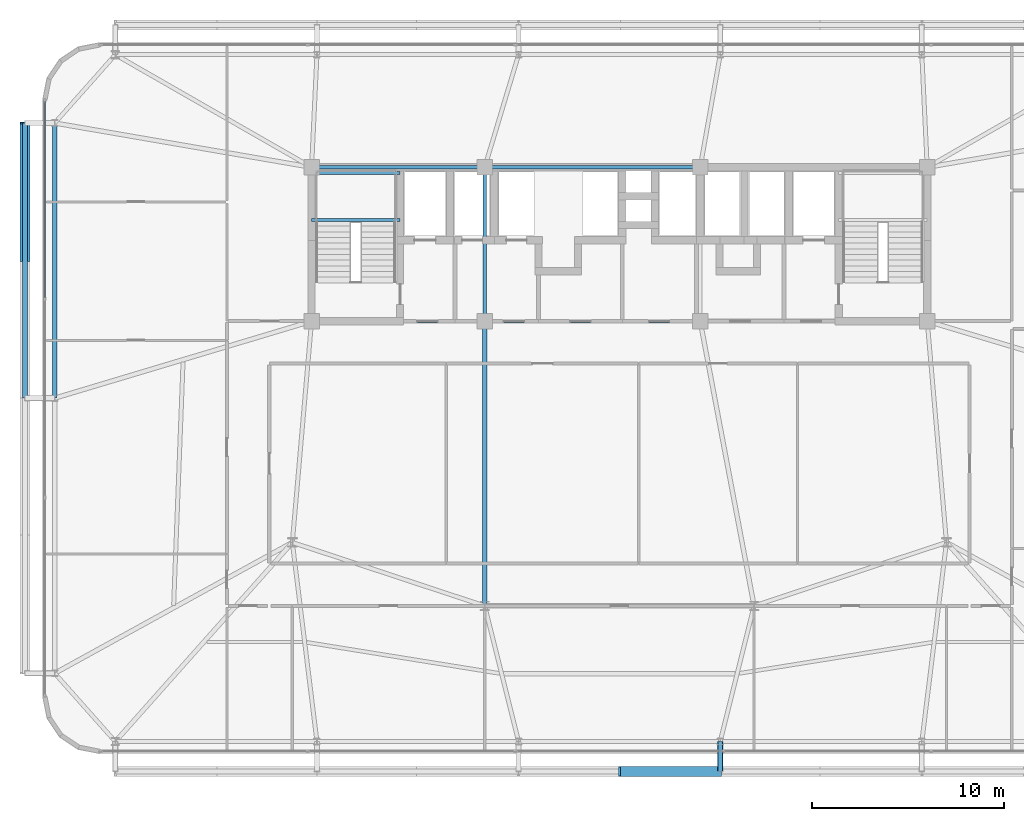
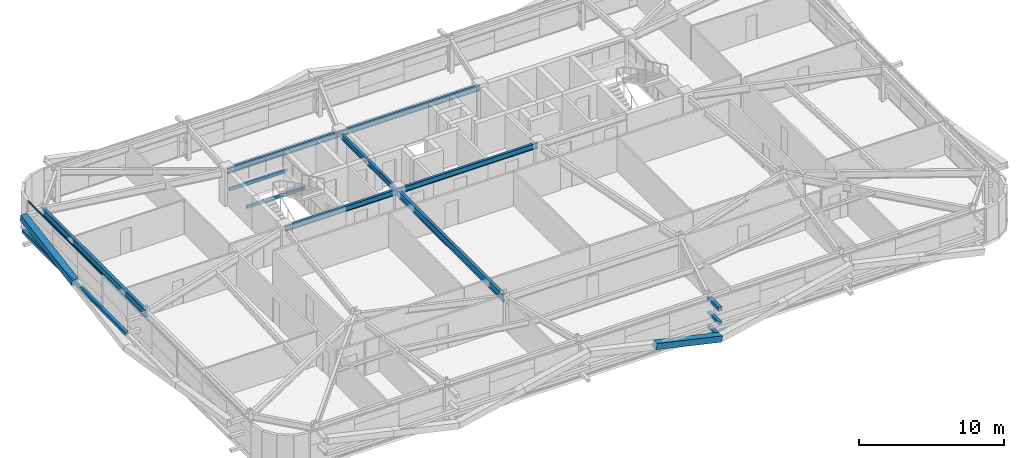
# One storey, part 12 of 45: 9 beams, 8 members, 1 element without a shape of its own.
"""IFC4 building model written with IfcOpenShell, lengths in metres."""

from ifc_helpers import new_model, si_unit, direction, frame, origin, origin_2d, place, context, subcontext, project, spatial, hollow_rectangle, i_section, extrude, source, transform, mapped, material, layer, layer_set, material_profile, profile_set, type_object, element, aggregate, save


model = new_model("IFC4")

# Units and contexts
model_context = context("Model", 3, precision=1e-05, world=origin(), true_north=direction((0.0, 1.0)))
body_context = subcontext(model_context, "Body", "Model", "MODEL_VIEW")
ifc_project = project(units=[si_unit("LENGTHUNIT", "METRE"), si_unit("AREAUNIT", "SQUARE_METRE"), si_unit("VOLUMEUNIT", "CUBIC_METRE"), si_unit("PLANEANGLEUNIT", "RADIAN"), si_unit("MASSUNIT", "GRAM", prefix="KILO")], contexts=[model_context])

# Site, building, storey
site_placement = place(None, origin())
site = spatial("IfcSite", under=ifc_project, at=site_placement, CompositionType="ELEMENT")
building_placement = place(site_placement, origin())
building = spatial("IfcBuilding", under=site, at=building_placement, Name="Taldren Reach Tower", CompositionType="ELEMENT")
storey_placement = place(building_placement, frame((0.0, 0.0, 57.75)))
storey = spatial("IfcBuildingStorey", under=building, at=storey_placement, Name="L17", CompositionType="ELEMENT", Elevation=57.75)

# Beams
ifc_material_1 = material(Name="Steel Gr 350 (350PLUS)", Category="steel")
ifc_material_profile_1 = material_profile(ifc_material_1, i_section(OverallWidth=0.19091796875, OverallDepth=0.4599609375, WebThickness=0.010009765625, FlangeThickness=0.01611328125, at=origin_2d()), Name="460UB82.1")
ifc_profile_set_1 = profile_set([ifc_material_profile_1], Name="Steel Gr 350 (350PLUS)")
beam_type_1 = type_object("IfcBeamType", Name="BM-UB460A", PredefinedType="BEAM", material=ifc_profile_set_1)
shared_shape_1 = source(origin(), body_context, "Body", "SweptSolid", [
    extrude(i_section(OverallWidth=0.19091796875, OverallDepth=0.4599609375, WebThickness=0.010009765625, FlangeThickness=0.01611328125, at=origin_2d()), origin(), (0.0, 0.0, 1.0), 9.0),
])
for number, where, z_axis, x_axis, name in (
    (1, (19.0, 24.0, 2.639892578125), (1.0, 0.0, 0.0), (0.0, 1.0, 0.0), "Core-spine girder L17-SP01"),
    (2, (19.0, 32.0, 2.639892578125), (1.0, 0.0, 0.0), (0.0, 1.0, 0.0), "Core-spine girder L17-SP04"),
):
    element("IfcBeam", number, at=place(storey_placement, frame(where, z_axis=z_axis, x_axis=x_axis)), inside=storey, type_object=beam_type_1, Name=name, PredefinedType="BEAM", context=body_context, shape_type="MappedRepresentation", body=[
        mapped(shared_shape_1, transform((0.0, 0.0, 0.0), scale=1.0)),
    ])
shared_shape_2 = source(origin(), body_context, "Body", "SweptSolid", [
    extrude(i_section(OverallWidth=0.19091796875, OverallDepth=0.4599609375, WebThickness=0.010009765625, FlangeThickness=0.01611328125, at=origin_2d()), origin(), (0.0, 0.0, 1.0), 11.199951171875),
])
for number, where, z_axis, x_axis, name in (
    (3, (28.0, 24.0, 2.639892578125), (1.0, 0.0, 0.0), (0.0, 1.0, 0.0), "Core-spine girder L17-SP02"),
    (4, (28.0, 32.0, 2.639892578125), (1.0, 0.0, 0.0), (0.0, 1.0, 0.0), "Core-spine girder L17-SP05"),
):
    element("IfcBeam", number, at=place(storey_placement, frame(where, z_axis=z_axis, x_axis=x_axis)), inside=storey, type_object=beam_type_1, Name=name, PredefinedType="BEAM", context=body_context, shape_type="MappedRepresentation", body=[
        mapped(shared_shape_2, transform((0.0, 0.0, 0.0), scale=1.0)),
    ])
shared_shape_3 = source(origin(), body_context, "Body", "SweptSolid", [
    extrude(i_section(OverallWidth=0.19091796875, OverallDepth=0.4599609375, WebThickness=0.010009765625, FlangeThickness=0.01611328125, at=origin_2d()), origin(), (0.0, 0.0, 1.0), 8.0),
])
beam_1_placement = place(storey_placement, frame((28.0, 24.0, 2.639892578125), z_axis=(0.0, 1.0, 0.0), x_axis=(-1.0, 0.0, 0.0)))
element("IfcBeam", 5, at=beam_1_placement, inside=storey, type_object=beam_type_1, Name="Core-spine girder L17-SP07", PredefinedType="BEAM", context=body_context, shape_type="MappedRepresentation", body=[
    mapped(shared_shape_3, transform((0.0, 0.0, 0.0), scale=1.0)),
])
ifc_material_profile_2 = material_profile(ifc_material_1, i_section(OverallWidth=0.22802734375, OverallDepth=0.60205078125, WebThickness=0.010498046875, FlangeThickness=0.014892578125, at=origin_2d()), Name="610UB101")
ifc_profile_set_2 = profile_set([ifc_material_profile_2], Name="Steel Gr 350 (350PLUS)")
beam_type_2 = type_object("IfcBeamType", Name="BM-UB610B", PredefinedType="BEAM", material=ifc_profile_set_2)
shared_shape_4 = source(origin(), body_context, "Body", "SweptSolid", [
    extrude(i_section(OverallWidth=0.22802734375, OverallDepth=0.60205078125, WebThickness=0.010498046875, FlangeThickness=0.014892578125, at=origin_2d()), origin(), (0.0, 0.0, 1.0), 14.800048828125),
])
beam_2_placement = place(storey_placement, frame((28.0, 24.0, 2.569091796875), z_axis=(0.0, -1.0, 0.0), x_axis=(1.0, 0.0, 0.0)))
element("IfcBeam", 6, at=beam_2_placement, inside=storey, type_object=beam_type_2, Name="Core-spine girder L17-SP14", PredefinedType="BEAM", context=body_context, shape_type="MappedRepresentation", body=[
    mapped(shared_shape_4, transform((0.0, 0.0, 0.0), scale=1.0)),
])
shared_shape_5 = source(origin(), body_context, "Body", "SweptSolid", [
    extrude(i_section(OverallWidth=0.22802734375, OverallDepth=0.60205078125, WebThickness=0.010498046875, FlangeThickness=0.014892578125, at=origin_2d()), origin(), (0.0, 0.0, 1.0), 14.300048828125),
])
beam_3_placement = place(storey_placement, frame((5.64990234375, 34.300048828125, 2.569091796875), z_axis=(0.0, -1.0, 0.0), x_axis=(1.0, 0.0, 0.0)))
element("IfcBeam", 7, at=beam_3_placement, inside=storey, type_object=beam_type_2, Name="Perimeter gable girder B1 W3-W2 L17", PredefinedType="BEAM", context=body_context, shape_type="MappedRepresentation", body=[
    mapped(shared_shape_5, transform((0.0, 0.0, 0.0), scale=1.0)),
])

# Members
ifc_material_2 = material(Name="Steel Gr 450 (C450L0)", Category="steel")
ifc_material_profile_3 = material_profile(ifc_material_2, hollow_rectangle(XDim=0.27490234375, YDim=0.27490234375, WallThickness=0.00927734375, at=origin_2d()), Name="275x275x9.3SHS")
ifc_profile_set_3 = profile_set([ifc_material_profile_3], Name="Steel Gr 450 (C450L0)")
member_type_1 = type_object("IfcMemberType", Name="MB-TIE273", PredefinedType="STRUT", material=ifc_profile_set_3)
shared_shape_6 = source(origin(), body_context, "Body", "SweptSolid", [
    extrude(hollow_rectangle(XDim=0.27490234375, YDim=0.27490234375, WallThickness=0.00927734375, at=origin_2d()), origin(), (0.0, 0.0, 1.0), 1.5498046875),
])
member_1_placement = place(storey_placement, frame((40.239990234375, 2.14990234375, 2.590087890625), z_axis=(0.0, -1.0, 0.0), x_axis=(1.0, 0.0, 0.0)))
element("IfcMember", 8, at=member_1_placement, inside=storey, type_object=member_type_1, Name="Exoskeleton diaphragm tie strut B1-S4 L17", PredefinedType="STRUT", context=body_context, shape_type="MappedRepresentation", body=[
    mapped(shared_shape_6, transform((0.0, 0.0, 0.0), scale=1.0)),
])
ifc_material_3 = material(Name="Steel Gr 350 (C350L0)", Category="steel")
ifc_material_profile_4 = material_profile(ifc_material_3, hollow_rectangle(XDim=0.25, YDim=0.25, WallThickness=0.010009765625, at=origin_2d()), Name="250x250x10.0SHS")
ifc_profile_set_4 = profile_set([ifc_material_profile_4], Name="Steel Gr 350 (C350L0)")
member_type_2 = type_object("IfcMemberType", Name="MB-POST250", PredefinedType="POST", material=ifc_profile_set_4)
shared_shape_7 = source(origin(), body_context, "Body", "SweptSolid", [
    extrude(hollow_rectangle(XDim=0.25, YDim=0.25, WallThickness=0.010009765625, at=origin_2d()), origin(), (0.0, 0.0, 1.0), 1.5498046875),
])
for number, where, z_axis, x_axis, name in (
    (9, (40.239990234375, 2.14990234375, 0.219970703125), (0.0, -1.0, 0.0), (1.0, 0.0, 0.0), "Exoskeleton base diaphragm tie strut B1-S4 L17"),
    (10, (40.239990234375, 2.14990234375, 1.405029296875), (0.0, -1.0, 0.0), (1.0, 0.0, 0.0), "Exoskeleton mid-tier diaphragm tie B1-S4 L17"),
):
    element("IfcMember", number, at=place(storey_placement, frame(where, z_axis=z_axis, x_axis=x_axis)), inside=storey, type_object=member_type_2, Name=name, PredefinedType="POST", context=body_context, shape_type="MappedRepresentation", body=[
        mapped(shared_shape_7, transform((0.0, 0.0, 0.0), scale=1.0)),
    ])
shared_shape_8 = source(origin(), body_context, "Body", "SweptSolid", [
    extrude(hollow_rectangle(XDim=0.25, YDim=0.25, WallThickness=0.010009765625, at=origin_2d()), origin(), (0.0, 0.0, 1.0), 14.300048828125),
])
member_2_placement = place(storey_placement, frame((4.10009765625, 20.0, 1.405029296875), z_axis=(0.0, 1.0, 0.0), x_axis=(-1.0, 0.0, 0.0)))
element("IfcMember", 11, at=member_2_placement, inside=storey, type_object=member_type_2, Name="Exoskeleton mid-height ring chord B1-W2 L17", PredefinedType="POST", context=body_context, shape_type="MappedRepresentation", body=[
    mapped(shared_shape_8, transform((0.0, 0.0, 0.0), scale=1.0)),
])
ifc_material_profile_5 = material_profile(ifc_material_2, hollow_rectangle(XDim=0.510009765625, YDim=0.510009765625, WallThickness=0.02001953125, at=origin_2d()), Name="510x510x20.0SHS")
ifc_profile_set_5 = profile_set([ifc_material_profile_5], Name="Steel Gr 450 (C450L0)")
member_type_3 = type_object("IfcMemberType", Name="MB-EXO508", PredefinedType="BRACE", material=ifc_profile_set_5)
shared_shape_9 = source(origin(), body_context, "Body", "SweptSolid", [
    extrude(hollow_rectangle(XDim=0.510009765625, YDim=0.510009765625, WallThickness=0.02001953125, at=origin_2d()), origin(), (0.0, 0.0, 1.0), 5.372314453125),
])
member_3_placement = place(storey_placement, frame((40.239990234375, 0.60009765625, 0.219970703125), z_axis=(-0.975367562392, 0.0, 0.220585852297), x_axis=(0.0, -1.0, 0.0)))
element("IfcMember", 12, at=member_3_placement, inside=storey, type_object=member_type_3, Name="Exoskeleton Diagrid Brace B1-S3 L17", PredefinedType="BRACE", context=body_context, shape_type="MappedRepresentation", body=[
    mapped(shared_shape_9, transform((0.0, 0.0, 0.0), scale=1.0)),
])
shared_shape_10 = source(origin(), body_context, "Body", "SweptSolid", [
    extrude(hollow_rectangle(XDim=0.510009765625, YDim=0.510009765625, WallThickness=0.02001953125, at=origin_2d()), origin(), (0.0, 0.0, 1.0), 7.247802734375),
])
member_4_placement = place(storey_placement, frame((4.10009765625, 27.14990234375, 1.405029296875), z_axis=(0.0, 0.986541919455, 0.163508535427), x_axis=(-1.0, 0.0, 0.0)))
element("IfcMember", 13, at=member_4_placement, inside=storey, type_object=member_type_3, Name="Exoskeleton Diagrid Brace B1-W2 L17", PredefinedType="BRACE", context=body_context, shape_type="MappedRepresentation", body=[
    mapped(shared_shape_10, transform((0.0, 0.0, 0.0), scale=1.0)),
])

# Curtain wall, members
ifc_material_4 = material(Name="Aluminium and Low-E Glass Unitised System", Category="aluminium")
ifc_layer = layer(ifc_material_4, 0.159912109375)
ifc_layer_set = layer_set([ifc_layer], Name="Aluminium and Low-E Glass Unitised System")
curtain_wall_type = type_object("IfcCurtainWallType", Name="CW-SYS-2", PredefinedType="NOTDEFINED", material=ifc_layer_set)
curtain_wall_placement = place(storey_placement, origin())
curtain_wall = element("IfcCurtainWall", 14, at=curtain_wall_placement, inside=storey, type_object=curtain_wall_type, Name="Unitised curtain wall CW-L17-W", PredefinedType="NOTDEFINED")
ifc_material_5 = material(Name="Anodised Aluminium 6063-T6", Category="aluminium")
ifc_material_profile_6 = material_profile(ifc_material_5, hollow_rectangle(XDim=0.054931640625, YDim=0.1201171875, WallThickness=0.0029296875, at=origin_2d()), Name="ALU-120x55x3RHS")
ifc_profile_set_6 = profile_set([ifc_material_profile_6], Name="Anodised Aluminium 6063-T6")
member_type_4 = type_object("IfcMemberType", Name="CW-TRN-135", PredefinedType="USERDEFINED", material=ifc_profile_set_6)
shared_shape_11 = source(origin(), body_context, "Body", "SweptSolid", [
    extrude(hollow_rectangle(XDim=0.054931640625, YDim=0.1201171875, WallThickness=0.0029296875, at=origin_2d()), origin(), (0.0, 0.0, 1.0), 10.23583984375),
])
member_5_placement = place(storey_placement, frame((5.139892578125, 35.43505859375, 0.027587890625), z_axis=(0.0, -1.0, 0.0), x_axis=(1.0, 0.0, 0.0)))
member_5 = element("IfcMember", 15, at=member_5_placement, type_object=member_type_4, Name="CW-2 transom 1.1", ObjectType="TRANSOM", PredefinedType="USERDEFINED", context=body_context, shape_type="MappedRepresentation", body=[
    mapped(shared_shape_11, transform((0.0, 0.0, 0.0), scale=1.0)),
])
member_6_placement = place(storey_placement, frame((5.139892578125, 35.43505859375, 2.842529296875), z_axis=(0.0, -1.0, 0.0), x_axis=(1.0, 0.0, 0.0)))
member_6 = element("IfcMember", 16, at=member_6_placement, type_object=member_type_4, Name="CW-2 transom 1.2", ObjectType="TRANSOM", PredefinedType="USERDEFINED", context=body_context, shape_type="MappedRepresentation", body=[
    mapped(shared_shape_11, transform((0.0, 0.0, 0.0), scale=1.0)),
])
aggregate(curtain_wall, [member_5, member_6])

# Beams
ifc_material_profile_7 = material_profile(ifc_material_3, hollow_rectangle(XDim=0.14990234375, YDim=0.25, WallThickness=0.009033203125, at=origin_2d()), Name="250x150x9.0RHS")
ifc_profile_set_7 = profile_set([ifc_material_profile_7], Name="Steel Gr 350 (C350L0)")
beam_type_3 = type_object("IfcBeamType", Name="LN-RHS250", PredefinedType="LINTEL", material=ifc_profile_set_7)
shared_shape_12 = source(origin(), body_context, "Body", "SweptSolid", [
    extrude(hollow_rectangle(XDim=0.14990234375, YDim=0.25, WallThickness=0.009033203125, at=origin_2d()), origin(), (0.0, 0.0, 1.0), 4.60009765625),
])
for number, where, z_axis, x_axis, name in (
    (17, (19.0, 29.2548828125, 1.27001953125), (1.0, 0.0, 0.0), (0.0, 1.0, 0.0), "Stair half-landing support beam ST1-L17-1"),
    (18, (19.0, 31.699951171875, 1.27001953125), (1.0, 0.0, 0.0), (0.0, 1.0, 0.0), "Stair half-landing support beam ST1-L17-2"),
):
    element("IfcBeam", number, at=place(storey_placement, frame(where, z_axis=z_axis, x_axis=x_axis)), inside=storey, type_object=beam_type_3, Name=name, PredefinedType="LINTEL", context=body_context, shape_type="MappedRepresentation", body=[
        mapped(shared_shape_12, transform((0.0, 0.0, 0.0), scale=1.0)),
    ])

save(model, "model.ifc")
